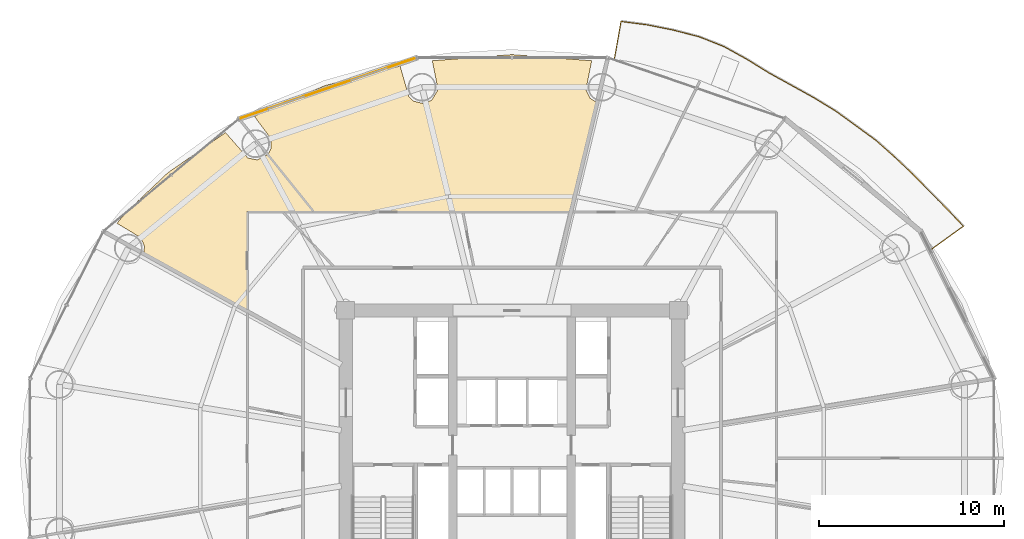
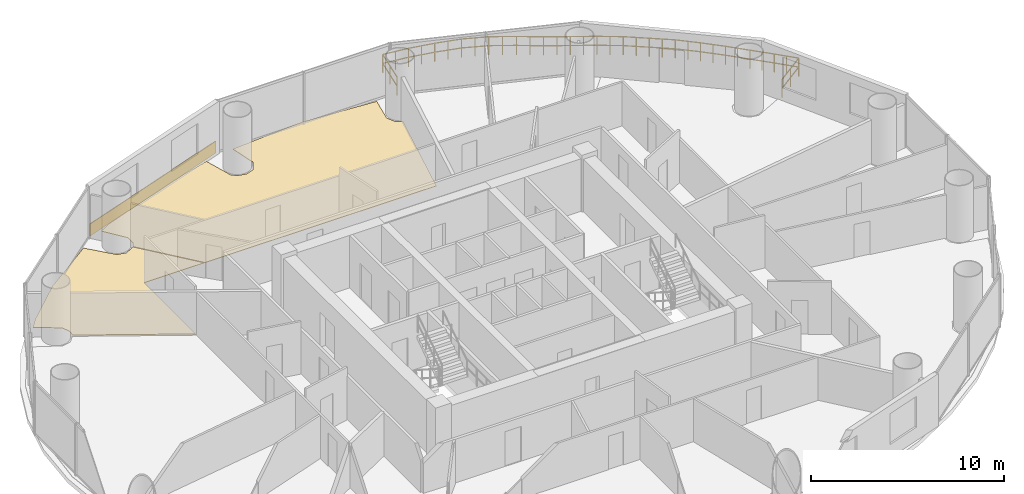
# One storey, part 29 of 29: 3 coverings, 1 railing.
"""IFC4 building model written with IfcOpenShell, lengths in metres."""

from ifc_helpers import new_model, si_unit, direction, frame, origin, origin_2d, place, context, subcontext, project, spatial, polyline, rectangle, outline, extrude, source, transform, mapped, material, layer, layer_set, type_object, element, save


model = new_model("IFC4")

# Units and contexts
model_context = context("Model", 3, precision=1e-05, world=origin(), true_north=direction((-0.2419218956, 0.970295726276)))
body_context = subcontext(model_context, "Body", "Model", "MODEL_VIEW")
ifc_project = project(units=[si_unit("LENGTHUNIT", "METRE"), si_unit("AREAUNIT", "SQUARE_METRE"), si_unit("VOLUMEUNIT", "CUBIC_METRE"), si_unit("PLANEANGLEUNIT", "RADIAN"), si_unit("MASSUNIT", "GRAM", prefix="KILO")], contexts=[model_context])

# Site, building, storey
site_placement = place(None, origin())
site = spatial("IfcSite", under=ifc_project, at=site_placement, CompositionType="ELEMENT")
building_placement = place(site_placement, origin())
building = spatial("IfcBuilding", under=site, at=building_placement, Name="Cobrevalo Terracotta Tower", CompositionType="ELEMENT")
storey_placement = place(building_placement, frame((0.0, 0.0, 123.0)))
storey = spatial("IfcBuildingStorey", under=building, at=storey_placement, Name="L32", CompositionType="ELEMENT", Elevation=123.0)

# Railing
ifc_material_1 = material(Name="Laminated structural glass and stainless steel", Category="steel")
railing_type = type_object("IfcRailingType", Name="Balcony lobe structural glass & terracotta-cap balustrade 1180 mm", PredefinedType="BALUSTRADE", material=ifc_material_1)
railing_placement = place(storey_placement, frame((60.709228515625, 38.1162109375, 0.0)))
element("IfcRailing", 1, at=railing_placement, inside=storey, type_object=railing_type, Name="L32 spiralling balcony lobe balustrade 1", PredefinedType="BALUSTRADE", context=body_context, shape_type="SweptSolid", body=[
    extrude(rectangle(XDim=0.048095703125, YDim=0.048095703125, at=origin_2d()), frame((0.0, 0.0, 1.15576171875), z_axis=(0.81100517667, 0.585038975978, 0.0), x_axis=(-0.585038975978, 0.81100517667, 0.0)), (0.0, 0.0, 1.0), 2.0927734375),
    extrude(rectangle(XDim=0.048095703125, YDim=0.048095703125, at=origin_2d()), frame((0.0, 0.0, 0.58984375), z_axis=(0.81100517667, 0.585038975978, 0.0), x_axis=(-0.585038975978, 0.81100517667, 0.0)), (0.0, 0.0, 1.0), 2.0927734375),
    extrude(rectangle(XDim=0.048095703125, YDim=0.048095703125, at=origin_2d()), frame((1.697265625, 1.224365234375, 1.15576171875), z_axis=(-0.688307770332, 0.725418784773, 0.0), x_axis=(-0.725418784773, -0.688307770332, 0.0)), (0.0, 0.0, 1.0), 1.322265625),
    extrude(rectangle(XDim=0.048095703125, YDim=0.048095703125, at=origin_2d()), frame((1.697265625, 1.224365234375, 0.58984375), z_axis=(-0.688307770332, 0.725418784773, 0.0), x_axis=(-0.725418784773, -0.688307770332, 0.0)), (0.0, 0.0, 1.0), 1.322265625),
    extrude(rectangle(XDim=0.048095703125, YDim=0.048095703125, at=origin_2d()), frame((0.787109375, 2.18359375, 1.15576171875), z_axis=(-0.704398841693, 0.70980438983, 0.0), x_axis=(-0.70980438983, -0.704398841693, 0.0)), (0.0, 0.0, 1.0), 1.309814453125),
    extrude(rectangle(XDim=0.048095703125, YDim=0.048095703125, at=origin_2d()), frame((0.787109375, 2.18359375, 0.58984375), z_axis=(-0.704398841693, 0.70980438983, 0.0), x_axis=(-0.70980438983, -0.704398841693, 0.0)), (0.0, 0.0, 1.0), 1.309814453125),
    extrude(rectangle(XDim=0.048095703125, YDim=0.048095703125, at=origin_2d()), frame((-0.135498046875, 3.11328125, 1.15576171875), z_axis=(-0.698748314657, 0.715367592754, 0.0), x_axis=(-0.715367592754, -0.698748314657, 0.0)), (0.0, 0.0, 1.0), 1.322021484375),
    extrude(rectangle(XDim=0.048095703125, YDim=0.048095703125, at=origin_2d()), frame((-0.135498046875, 3.11328125, 0.58984375), z_axis=(-0.698748314657, 0.715367592754, 0.0), x_axis=(-0.715367592754, -0.698748314657, 0.0)), (0.0, 0.0, 1.0), 1.322021484375),
    extrude(rectangle(XDim=0.048095703125, YDim=0.048095703125, at=origin_2d()), frame((-1.059326171875, 4.05908203125, 1.15576171875), z_axis=(-0.72630485997, 0.687372715769, 0.0), x_axis=(-0.687372715769, -0.72630485997, 0.0)), (0.0, 0.0, 1.0), 1.329345703125),
    extrude(rectangle(XDim=0.048095703125, YDim=0.048095703125, at=origin_2d()), frame((-1.059326171875, 4.05908203125, 0.58984375), z_axis=(-0.72630485997, 0.687372715769, 0.0), x_axis=(-0.687372715769, -0.72630485997, 0.0)), (0.0, 0.0, 1.0), 1.329345703125),
    extrude(rectangle(XDim=0.048095703125, YDim=0.048095703125, at=origin_2d()), frame((-2.02490234375, 4.972900390625, 1.15576171875), z_axis=(-0.746873265883, 0.664966408707, 0.0), x_axis=(-0.664966408707, -0.746873265883, 0.0)), (0.0, 0.0, 1.0), 1.332275390625),
    extrude(rectangle(XDim=0.048095703125, YDim=0.048095703125, at=origin_2d()), frame((-2.02490234375, 4.972900390625, 0.58984375), z_axis=(-0.746873265883, 0.664966408707, 0.0), x_axis=(-0.664966408707, -0.746873265883, 0.0)), (0.0, 0.0, 1.0), 1.332275390625),
    extrude(rectangle(XDim=0.048095703125, YDim=0.048095703125, at=origin_2d()), frame((-3.02001953125, 5.85888671875, 1.15576171875), z_axis=(-0.807480217986, 0.589894649544, 0.0), x_axis=(-0.589894649544, -0.807480217986, 0.0)), (0.0, 0.0, 1.0), 1.35546875),
    extrude(rectangle(XDim=0.048095703125, YDim=0.048095703125, at=origin_2d()), frame((-3.02001953125, 5.85888671875, 0.58984375), z_axis=(-0.807480217986, 0.589894649544, 0.0), x_axis=(-0.589894649544, -0.807480217986, 0.0)), (0.0, 0.0, 1.0), 1.35546875),
    extrude(rectangle(XDim=0.048095703125, YDim=0.048095703125, at=origin_2d()), frame((-4.114501953125, 6.658447265625, 1.15576171875), z_axis=(-0.809312616703, 0.587378147743, 0.0), x_axis=(-0.587378147743, -0.809312616703, 0.0)), (0.0, 0.0, 1.0), 1.354248046875),
    extrude(rectangle(XDim=0.048095703125, YDim=0.048095703125, at=origin_2d()), frame((-4.114501953125, 6.658447265625, 0.58984375), z_axis=(-0.809312616703, 0.587378147743, 0.0), x_axis=(-0.587378147743, -0.809312616703, 0.0)), (0.0, 0.0, 1.0), 1.354248046875),
    extrude(rectangle(XDim=0.048095703125, YDim=0.048095703125, at=origin_2d()), frame((-5.21044921875, 7.453857421875, 1.15576171875), z_axis=(-0.853916029484, 0.520410813291, 0.0), x_axis=(-0.520410813291, -0.853916029484, 0.0)), (0.0, 0.0, 1.0), 1.368896484375),
    extrude(rectangle(XDim=0.048095703125, YDim=0.048095703125, at=origin_2d()), frame((-5.21044921875, 7.453857421875, 0.58984375), z_axis=(-0.853916029484, 0.520410813291, 0.0), x_axis=(-0.520410813291, -0.853916029484, 0.0)), (0.0, 0.0, 1.0), 1.368896484375),
    extrude(rectangle(XDim=0.048095703125, YDim=0.048095703125, at=origin_2d()), frame((-6.37939453125, 8.166259765625, 1.15576171875), z_axis=(-0.87437430677, 0.485252070228, 0.0), x_axis=(-0.485252070228, -0.87437430677, 0.0)), (0.0, 0.0, 1.0), 1.379150390625),
    extrude(rectangle(XDim=0.048095703125, YDim=0.048095703125, at=origin_2d()), frame((-6.37939453125, 8.166259765625, 0.58984375), z_axis=(-0.87437430677, 0.485252070228, 0.0), x_axis=(-0.485252070228, -0.87437430677, 0.0)), (0.0, 0.0, 1.0), 1.379150390625),
    extrude(rectangle(XDim=0.048095703125, YDim=0.048095703125, at=origin_2d()), frame((-7.585205078125, 8.83544921875, 1.15576171875), z_axis=(-0.876002976442, 0.482305696902, 0.0), x_axis=(-0.482305696902, -0.876002976442, 0.0)), (0.0, 0.0, 1.0), 1.38037109375),
    extrude(rectangle(XDim=0.048095703125, YDim=0.048095703125, at=origin_2d()), frame((-7.585205078125, 8.83544921875, 0.58984375), z_axis=(-0.876002976442, 0.482305696902, 0.0), x_axis=(-0.482305696902, -0.876002976442, 0.0)), (0.0, 0.0, 1.0), 1.38037109375),
    extrude(rectangle(XDim=0.048095703125, YDim=0.048095703125, at=origin_2d()), frame((-8.79443359375, 9.501220703125, 1.15576171875), z_axis=(-0.850865854759, 0.525383000492, 0.0), x_axis=(-0.525383000492, -0.850865854759, 0.0)), (0.0, 0.0, 1.0), 1.419189453125),
    extrude(rectangle(XDim=0.048095703125, YDim=0.048095703125, at=origin_2d()), frame((-8.79443359375, 9.501220703125, 0.58984375), z_axis=(-0.850865854759, 0.525383000492, 0.0), x_axis=(-0.525383000492, -0.850865854759, 0.0)), (0.0, 0.0, 1.0), 1.419189453125),
    extrude(rectangle(XDim=0.048095703125, YDim=0.048095703125, at=origin_2d()), frame((-10.001953125, 10.246826171875, 1.15576171875), z_axis=(-0.874818125038, 0.484451492004, 0.0), x_axis=(-0.484451492004, -0.874818125038, 0.0)), (0.0, 0.0, 1.0), 1.42724609375),
    extrude(rectangle(XDim=0.048095703125, YDim=0.048095703125, at=origin_2d()), frame((-10.001953125, 10.246826171875, 0.58984375), z_axis=(-0.874818125038, 0.484451492004, 0.0), x_axis=(-0.484451492004, -0.874818125038, 0.0)), (0.0, 0.0, 1.0), 1.42724609375),
    extrude(rectangle(XDim=0.048095703125, YDim=0.048095703125, at=origin_2d()), frame((-11.25048828125, 10.938232421875, 1.15576171875), z_axis=(-0.929766433418, 0.368149941313, 0.0), x_axis=(-0.368149941313, -0.929766433418, 0.0)), (0.0, 0.0, 1.0), 1.4296875),
    extrude(rectangle(XDim=0.048095703125, YDim=0.048095703125, at=origin_2d()), frame((-11.25048828125, 10.938232421875, 0.58984375), z_axis=(-0.929766433418, 0.368149941313, 0.0), x_axis=(-0.368149941313, -0.929766433418, 0.0)), (0.0, 0.0, 1.0), 1.4296875),
    extrude(rectangle(XDim=0.048095703125, YDim=0.048095703125, at=origin_2d()), frame((-12.579833984375, 11.464599609375, 1.15576171875), z_axis=(-0.967928180012, 0.251227065299, 0.0), x_axis=(-0.251227065299, -0.967928180012, 0.0)), (0.0, 0.0, 1.0), 1.439208984375),
    extrude(rectangle(XDim=0.048095703125, YDim=0.048095703125, at=origin_2d()), frame((-12.579833984375, 11.464599609375, 0.58984375), z_axis=(-0.967928180012, 0.251227065299, 0.0), x_axis=(-0.251227065299, -0.967928180012, 0.0)), (0.0, 0.0, 1.0), 1.439208984375),
    extrude(rectangle(XDim=0.048095703125, YDim=0.048095703125, at=origin_2d()), frame((-13.972900390625, 11.826171875, 1.15576171875), z_axis=(-0.980173002622, 0.198143596747, 0.0), x_axis=(-0.198143596747, -0.980173002622, 0.0)), (0.0, 0.0, 1.0), 1.435546875),
    extrude(rectangle(XDim=0.048095703125, YDim=0.048095703125, at=origin_2d()), frame((-13.972900390625, 11.826171875, 0.58984375), z_axis=(-0.980173002622, 0.198143596747, 0.0), x_axis=(-0.198143596747, -0.980173002622, 0.0)), (0.0, 0.0, 1.0), 1.435546875),
    extrude(rectangle(XDim=0.048095703125, YDim=0.048095703125, at=origin_2d()), frame((-15.3798828125, 12.110595703125, 1.15576171875), z_axis=(-0.991680186673, 0.128726094323, 0.0), x_axis=(-0.128726094323, -0.991680186673, 0.0)), (0.0, 0.0, 1.0), 1.447021484375),
    extrude(rectangle(XDim=0.048095703125, YDim=0.048095703125, at=origin_2d()), frame((-15.3798828125, 12.110595703125, 0.58984375), z_axis=(-0.991680186673, 0.128726094323, 0.0), x_axis=(-0.128726094323, -0.991680186673, 0.0)), (0.0, 0.0, 1.0), 1.447021484375),
    extrude(rectangle(XDim=0.048095703125, YDim=0.048095703125, at=origin_2d()), frame((-16.81494140625, 12.296875, 1.15576171875), z_axis=(-0.174744144507, -0.984613875568, 0.0), x_axis=(0.984613875568, -0.174744144507, 0.0)), (0.0, 0.0, 1.0), 2.1640625),
    extrude(rectangle(XDim=0.048095703125, YDim=0.048095703125, at=origin_2d()), frame((-16.81494140625, 12.296875, 0.58984375), z_axis=(-0.174744144507, -0.984613875568, 0.0), x_axis=(0.984613875568, -0.174744144507, 0.0)), (0.0, 0.0, 1.0), 2.1640625),
    extrude(rectangle(XDim=0.0419921875, YDim=0.0419921875, at=origin_2d()), origin(), (0.0, 0.0, 1.0), 1.1318359375),
    extrude(rectangle(XDim=0.0419921875, YDim=0.0419921875, at=origin_2d()), frame((0.8486328125, 0.6123046875, 0.0)), (0.0, 0.0, 1.0), 1.1318359375),
    extrude(rectangle(XDim=0.0419921875, YDim=0.0419921875, at=origin_2d()), frame((1.697265625, 1.224365234375, 0.0)), (0.0, 0.0, 1.0), 1.1318359375),
    extrude(rectangle(XDim=0.0419921875, YDim=0.0419921875, at=origin_2d()), frame((1.2421875, 1.7041015625, 0.0)), (0.0, 0.0, 1.0), 1.1318359375),
    extrude(rectangle(XDim=0.0419921875, YDim=0.0419921875, at=origin_2d()), frame((0.787109375, 2.18359375, 0.0)), (0.0, 0.0, 1.0), 1.1318359375),
    extrude(rectangle(XDim=0.0419921875, YDim=0.0419921875, at=origin_2d()), frame((0.32568359375, 2.6484375, 0.0)), (0.0, 0.0, 1.0), 1.1318359375),
    extrude(rectangle(XDim=0.0419921875, YDim=0.0419921875, at=origin_2d()), frame((-0.135498046875, 3.11328125, 0.0)), (0.0, 0.0, 1.0), 1.1318359375),
    extrude(rectangle(XDim=0.0419921875, YDim=0.0419921875, at=origin_2d()), frame((-0.597412109375, 3.586181640625, 0.0)), (0.0, 0.0, 1.0), 1.1318359375),
    extrude(rectangle(XDim=0.0419921875, YDim=0.0419921875, at=origin_2d()), frame((-1.059326171875, 4.05908203125, 0.0)), (0.0, 0.0, 1.0), 1.1318359375),
    extrude(rectangle(XDim=0.0419921875, YDim=0.0419921875, at=origin_2d()), frame((-1.5419921875, 4.51611328125, 0.0)), (0.0, 0.0, 1.0), 1.1318359375),
    extrude(rectangle(XDim=0.0419921875, YDim=0.0419921875, at=origin_2d()), frame((-2.02490234375, 4.972900390625, 0.0)), (0.0, 0.0, 1.0), 1.1318359375),
    extrude(rectangle(XDim=0.0419921875, YDim=0.0419921875, at=origin_2d()), frame((-2.5224609375, 5.416015625, 0.0)), (0.0, 0.0, 1.0), 1.1318359375),
    extrude(rectangle(XDim=0.0419921875, YDim=0.0419921875, at=origin_2d()), frame((-3.02001953125, 5.85888671875, 0.0)), (0.0, 0.0, 1.0), 1.1318359375),
    extrude(rectangle(XDim=0.0419921875, YDim=0.0419921875, at=origin_2d()), frame((-3.5673828125, 6.2587890625, 0.0)), (0.0, 0.0, 1.0), 1.1318359375),
    extrude(rectangle(XDim=0.0419921875, YDim=0.0419921875, at=origin_2d()), frame((-4.114501953125, 6.658447265625, 0.0)), (0.0, 0.0, 1.0), 1.1318359375),
    extrude(rectangle(XDim=0.0419921875, YDim=0.0419921875, at=origin_2d()), frame((-4.66259765625, 7.05615234375, 0.0)), (0.0, 0.0, 1.0), 1.1318359375),
    extrude(rectangle(XDim=0.0419921875, YDim=0.0419921875, at=origin_2d()), frame((-5.21044921875, 7.453857421875, 0.0)), (0.0, 0.0, 1.0), 1.1318359375),
    extrude(rectangle(XDim=0.0419921875, YDim=0.0419921875, at=origin_2d()), frame((-5.794921875, 7.81005859375, 0.0)), (0.0, 0.0, 1.0), 1.1318359375),
    extrude(rectangle(XDim=0.0419921875, YDim=0.0419921875, at=origin_2d()), frame((-6.37939453125, 8.166259765625, 0.0)), (0.0, 0.0, 1.0), 1.1318359375),
    extrude(rectangle(XDim=0.0419921875, YDim=0.0419921875, at=origin_2d()), frame((-6.982421875, 8.5009765625, 0.0)), (0.0, 0.0, 1.0), 1.1318359375),
    extrude(rectangle(XDim=0.0419921875, YDim=0.0419921875, at=origin_2d()), frame((-7.585205078125, 8.83544921875, 0.0)), (0.0, 0.0, 1.0), 1.1318359375),
    extrude(rectangle(XDim=0.0419921875, YDim=0.0419921875, at=origin_2d()), frame((-8.18994140625, 9.16845703125, 0.0)), (0.0, 0.0, 1.0), 1.1318359375),
    extrude(rectangle(XDim=0.0419921875, YDim=0.0419921875, at=origin_2d()), frame((-8.79443359375, 9.501220703125, 0.0)), (0.0, 0.0, 1.0), 1.1318359375),
    extrude(rectangle(XDim=0.0419921875, YDim=0.0419921875, at=origin_2d()), frame((-9.398193359375, 9.8740234375, 0.0)), (0.0, 0.0, 1.0), 1.1318359375),
    extrude(rectangle(XDim=0.0419921875, YDim=0.0419921875, at=origin_2d()), frame((-10.001953125, 10.246826171875, 0.0)), (0.0, 0.0, 1.0), 1.1318359375),
    extrude(rectangle(XDim=0.0419921875, YDim=0.0419921875, at=origin_2d()), frame((-10.626220703125, 10.592529296875, 0.0)), (0.0, 0.0, 1.0), 1.1318359375),
    extrude(rectangle(XDim=0.0419921875, YDim=0.0419921875, at=origin_2d()), frame((-11.25048828125, 10.938232421875, 0.0)), (0.0, 0.0, 1.0), 1.1318359375),
    extrude(rectangle(XDim=0.0419921875, YDim=0.0419921875, at=origin_2d()), frame((-11.9150390625, 11.201416015625, 0.0)), (0.0, 0.0, 1.0), 1.1318359375),
    extrude(rectangle(XDim=0.0419921875, YDim=0.0419921875, at=origin_2d()), frame((-12.579833984375, 11.464599609375, 0.0)), (0.0, 0.0, 1.0), 1.1318359375),
    extrude(rectangle(XDim=0.0419921875, YDim=0.0419921875, at=origin_2d()), frame((-13.2763671875, 11.6455078125, 0.0)), (0.0, 0.0, 1.0), 1.1318359375),
    extrude(rectangle(XDim=0.0419921875, YDim=0.0419921875, at=origin_2d()), frame((-13.972900390625, 11.826171875, 0.0)), (0.0, 0.0, 1.0), 1.1318359375),
    extrude(rectangle(XDim=0.0419921875, YDim=0.0419921875, at=origin_2d()), frame((-14.67626953125, 11.96826171875, 0.0)), (0.0, 0.0, 1.0), 1.1318359375),
    extrude(rectangle(XDim=0.0419921875, YDim=0.0419921875, at=origin_2d()), frame((-15.3798828125, 12.110595703125, 0.0)), (0.0, 0.0, 1.0), 1.1318359375),
    extrude(rectangle(XDim=0.0419921875, YDim=0.0419921875, at=origin_2d()), frame((-16.097412109375, 12.20361328125, 0.0)), (0.0, 0.0, 1.0), 1.1318359375),
    extrude(rectangle(XDim=0.0419921875, YDim=0.0419921875, at=origin_2d()), frame((-16.81494140625, 12.296875, 0.0)), (0.0, 0.0, 1.0), 1.1318359375),
    extrude(rectangle(XDim=0.0419921875, YDim=0.0419921875, at=origin_2d()), frame((-17.00390625, 11.2314453125, 0.0)), (0.0, 0.0, 1.0), 1.1318359375),
    extrude(rectangle(XDim=0.0419921875, YDim=0.0419921875, at=origin_2d()), frame((-17.193115234375, 10.166015625, 0.0)), (0.0, 0.0, 1.0), 1.1318359375),
])

# Coverings
ifc_material_2 = material(Name="Engineered Brazilian hardwood flooring", Category="wood")
ifc_layer_1 = layer(ifc_material_2, 0.028076171875)
ifc_layer_set_1 = layer_set([ifc_layer_1], Name="Engineered Brazilian hardwood flooring")
covering_type_1 = type_object("IfcCoveringType", Name="Engineered Hardwood Suite Flooring 28", PredefinedType="FLOORING", material=ifc_layer_set_1)
covering_1_placement = place(storey_placement, origin())
element("IfcCovering", 2, at=covering_1_placement, inside=storey, type_object=covering_type_1, Name="Flat L32B Penthouse Living and Dining Room floor finish", PredefinedType="FLOORING", context=body_context, shape_type="SweptSolid", body=[
    extrude(outline(polyline([(27.926513671875, 46.95849609375), (31.94921875, 48.001953125), (32.421875, 46.337890625), (32.674560546875, 46.10546875), (33.169189453125, 45.977783203125), (33.651611328125, 46.146240234375), (34.002197265625, 46.721435546875), (33.6904296875, 48.2890625), (38.0, 48.619873046875), (42.3095703125, 48.2890625), (41.997802734375, 46.721435546875), (42.2197265625, 46.26123046875), (42.5830078125, 46.028564453125), (41.169677734375, 40.125), (27.309326171875, 40.125), (24.806640625, 43.23681640625), (24.97998046875, 43.54541015625), (24.9814453125, 44.05615234375), (24.07568359375, 45.273193359375), (24.838623046875, 45.696044921875), (27.926513671875, 46.95849609375)])), origin(), (0.0, 0.0, 1.0), 0.030029296875),
])
covering_2_placement = place(storey_placement, origin())
element("IfcCovering", 3, at=covering_2_placement, inside=storey, type_object=covering_type_1, Name="Flat L32B Master Bedroom floor finish", PredefinedType="FLOORING", context=body_context, shape_type="SweptSolid", body=[
    extrude(outline(polyline([(22.511474609375, 44.40673828125), (23.72119140625, 43.02880859375), (24.221923828125, 42.927490234375), (24.780029296875, 43.2060546875), (27.2578125, 40.125), (23.675048828125, 40.125), (23.675048828125, 34.775390625), (18.083740234375, 37.879150390625), (18.131591796875, 38.23876953125), (17.94091796875, 38.712890625), (16.64697265625, 39.49755859375), (17.117919921875, 40.081787109375), (19.3876953125, 42.227783203125), (22.511474609375, 44.40673828125)])), origin(), (0.0, 0.0, 1.0), 0.030029296875),
])
ifc_material_3 = material(Name="Glazed terracotta facade cladding tile", Category="masonry")
ifc_layer_2 = layer(ifc_material_3, 0.044921875)
ifc_layer_set_2 = layer_set([ifc_layer_2], Name="Glazed terracotta facade cladding tile")
covering_type_2 = type_object("IfcCoveringType", Name="Architectural terracotta rainscreen spandrel cladding 45 mm", PredefinedType="CLADDING", material=ifc_layer_set_2)
shared_shape = source(origin(), body_context, "Body", "SweptSolid", [
    extrude(rectangle(XDim=9.928955078125, YDim=0.044921875, at=origin_2d()), origin(), (0.0, 0.0, 1.0), 0.760009765625),
])
covering_3_placement = place(storey_placement, frame((28.027587890625, 46.79833984375, 0.0400390625), z_axis=(0.0, 0.0, 1.0), x_axis=(-0.945596395206, -0.325342062104, 0.0)))
element("IfcCovering", 4, at=covering_3_placement, inside=storey, type_object=covering_type_2, Name="L32 terracotta spandrel cladding S05", PredefinedType="CLADDING", context=body_context, shape_type="MappedRepresentation", body=[
    mapped(shared_shape, transform((0.0, 0.0, 0.0), scale=1.0)),
])

save(model, "model.ifc")
